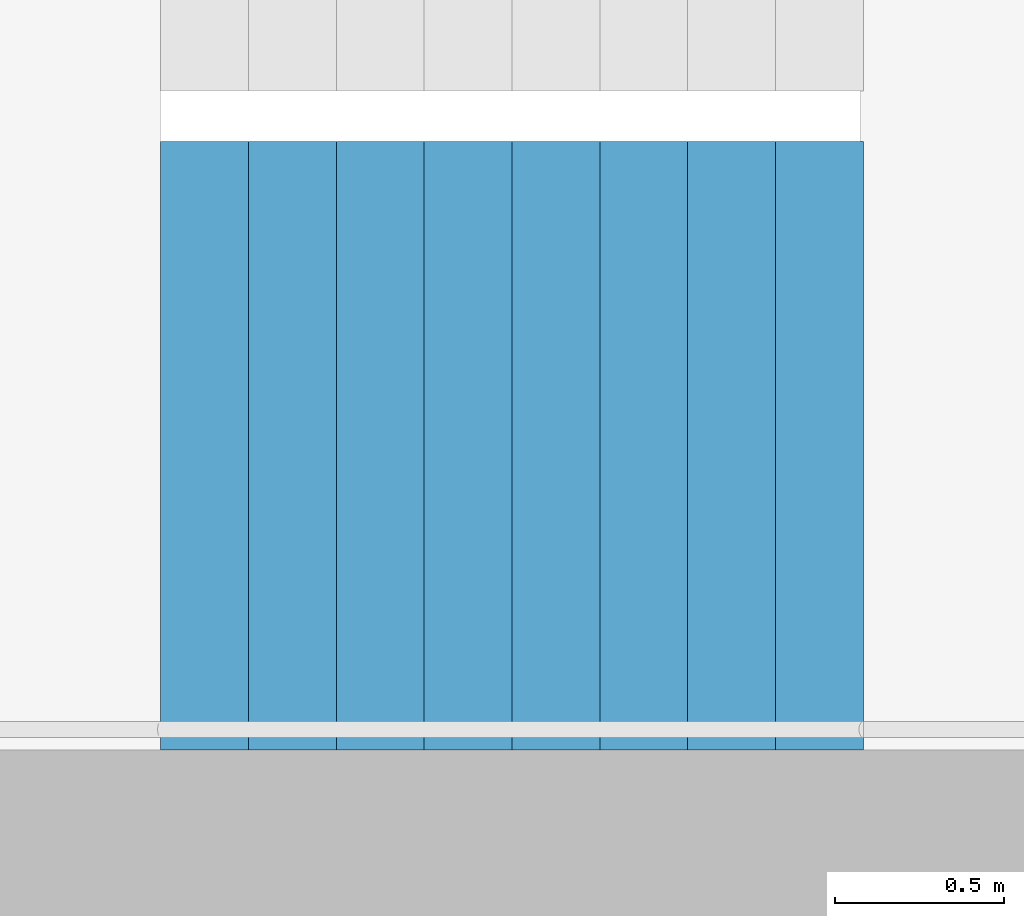
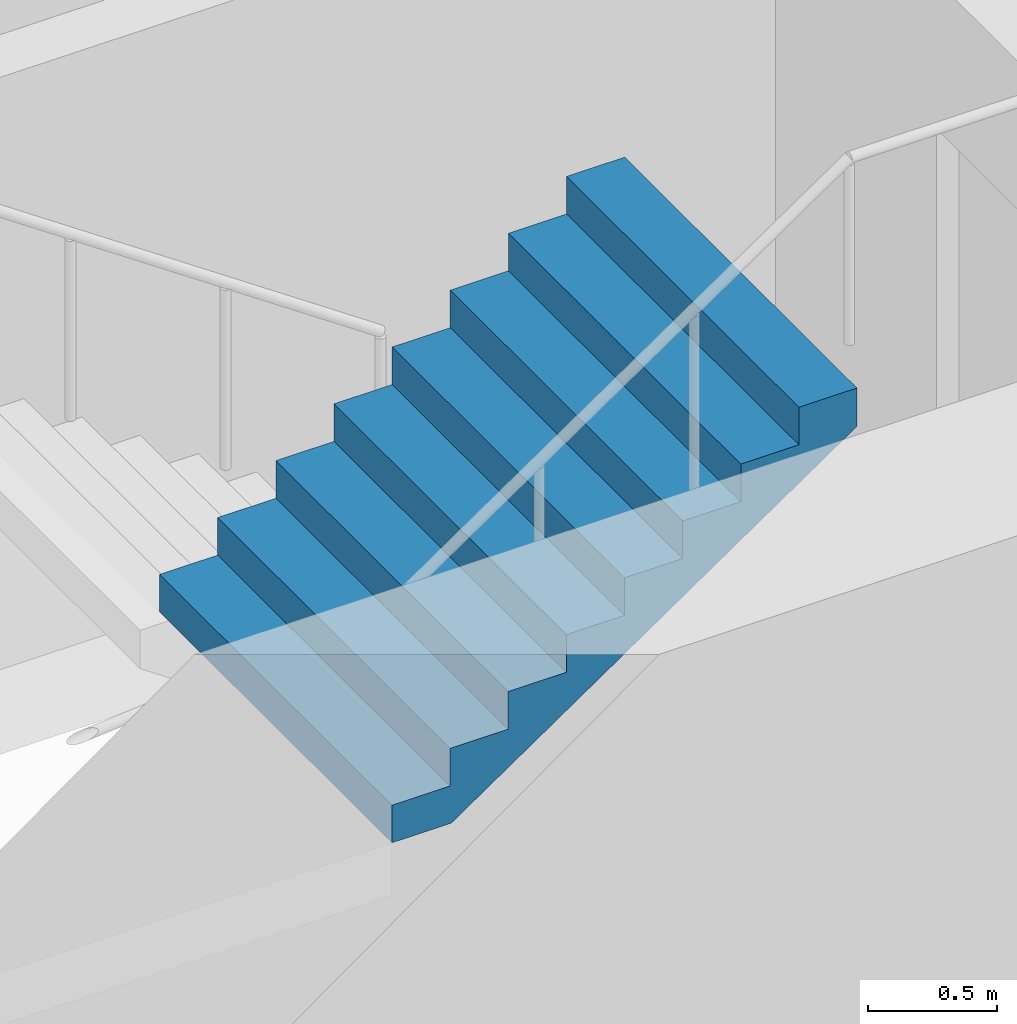
# One storey, part 20 of 35: 1 stair flight, 1 element without a shape of its own.
"""IFC4 building model written with IfcOpenShell, lengths in metres."""

from ifc_helpers import new_model, si_unit, direction, frame, origin, place, context, subcontext, project, spatial, triangles, material, type_object, element, aggregate, save


model = new_model("IFC4")

# Units and contexts
model_context = context("Model", 3, precision=1e-05, world=origin(), true_north=direction((0.0, 1.0)))
body_context = subcontext(model_context, "Body", "Model", "MODEL_VIEW")
ifc_project = project(units=[si_unit("LENGTHUNIT", "METRE"), si_unit("AREAUNIT", "SQUARE_METRE"), si_unit("VOLUMEUNIT", "CUBIC_METRE"), si_unit("PLANEANGLEUNIT", "RADIAN"), si_unit("MASSUNIT", "GRAM", prefix="KILO")], contexts=[model_context])

# Site, building, storey
site_placement = place(None, origin())
site = spatial("IfcSite", under=ifc_project, at=site_placement, CompositionType="ELEMENT")
building_placement = place(site_placement, origin())
building = spatial("IfcBuilding", under=site, at=building_placement, Name="Hakoniwa Tower and Hamabe Station Hall", CompositionType="ELEMENT")
storey_placement = place(building_placement, frame((0.0, 0.0, 51.800048828125)))
storey = spatial("IfcBuildingStorey", under=building, at=storey_placement, Name="L14", CompositionType="ELEMENT", Elevation=51.800048828125)

# Stair, stair flight
ifc_material_1 = material(Name="Concrete C40", Category="concrete")
stair_type = type_object("IfcStairType", Name="ESCAPE STAIR 1800", PredefinedType="HALF_TURN_STAIR", material=ifc_material_1)
stair_placement = place(storey_placement, origin())
stair = element("IfcStair", 1, at=stair_placement, inside=storey, type_object=stair_type, Name="Escape stair ST-2 L14", PredefinedType="HALF_TURN_STAIR")
ifc_material_2 = material(Name="Concrete C40", Category="concrete")
stair_flight_type = type_object("IfcStairFlightType", Name="STAIR FLIGHT 1800", PredefinedType="STRAIGHT", material=ifc_material_2)
stair_flight_placement = place(storey_placement, frame((-25.47998046875, -6.60009765625, 1.599853515625), z_axis=(0.0, 0.0, 1.0), x_axis=(1.0, 0.0, 0.0)))
stair_flight = element("IfcStairFlight", 2, at=stair_flight_placement, type_object=stair_flight_type, Name="ST-2 flight 2", NumberOfRisers=9, NumberOfTreads=8, PredefinedType="STRAIGHT", RiserHeight=0.177777778, TreadLength=0.26, context=body_context, shape_type="Tessellation", body=[
    triangles([(0.0, 0.89990234375, 0.0), (0.260009765625, 0.89990234375, 0.0), (0.265625, 0.89990234375, 0.0), (0.52001953125, 0.89990234375, 0.174072265625), (0.780029296875, 0.89990234375, 0.351806640625), (1.0400390625, 0.89990234375, 0.529541015625), (1.300048828125, 0.89990234375, 0.707275390625), (1.56005859375, 0.89990234375, 0.885009765625), (1.820068359375, 0.89990234375, 1.062744140625), (2.080078125, 0.89990234375, 1.24072265625), (2.080078125, 0.89990234375, 1.422119140625), (1.820068359375, 0.89990234375, 1.422119140625), (1.820068359375, 0.89990234375, 1.244384765625), (1.56005859375, 0.89990234375, 1.244384765625), (1.56005859375, 0.89990234375, 1.066650390625), (1.300048828125, 0.89990234375, 1.066650390625), (1.300048828125, 0.89990234375, 0.888916015625), (1.0400390625, 0.89990234375, 0.888916015625), (1.0400390625, 0.89990234375, 0.711181640625), (0.780029296875, 0.89990234375, 0.711181640625), (0.780029296875, 0.89990234375, 0.533447265625), (0.52001953125, 0.89990234375, 0.533447265625), (0.52001953125, 0.89990234375, 0.35546875), (0.265625, 0.89990234375, 0.35546875), (0.260009765625, 0.89990234375, 0.35546875), (0.260009765625, 0.89990234375, 0.177734375), (0.0, 0.89990234375, 0.177734375), (0.0, 0.06005859375, 0.0), (0.260009765625, 0.06005859375, 0.0), (0.265625, 0.06005859375, 0.0), (0.52001953125, 0.06005859375, 0.174072265625), (0.780029296875, 0.06005859375, 0.351806640625), (1.0400390625, 0.06005859375, 0.529541015625), (1.300048828125, 0.06005859375, 0.707275390625), (1.56005859375, 0.06005859375, 0.885009765625), (1.820068359375, 0.06005859375, 1.062744140625), (2.080078125, 0.06005859375, 1.24072265625), (2.080078125, 0.06005859375, 1.422119140625), (1.820068359375, 0.06005859375, 1.422119140625), (1.820068359375, 0.06005859375, 1.244384765625), (1.56005859375, 0.06005859375, 1.244384765625), (1.56005859375, 0.06005859375, 1.066650390625), (1.300048828125, 0.06005859375, 1.066650390625), (1.300048828125, 0.06005859375, 0.888916015625), (1.0400390625, 0.06005859375, 0.888916015625), (1.0400390625, 0.06005859375, 0.711181640625), (0.780029296875, 0.06005859375, 0.711181640625), (0.780029296875, 0.06005859375, 0.533447265625), (0.52001953125, 0.06005859375, 0.533447265625), (0.52001953125, 0.06005859375, 0.35546875), (0.265625, 0.06005859375, 0.35546875), (0.260009765625, 0.06005859375, 0.35546875), (0.260009765625, 0.06005859375, 0.177734375), (0.0, 0.06005859375, 0.177734375), (0.0, 0.04296875, 0.0), (0.260009765625, 0.04296875, 0.0), (0.265625, 0.04296875, 0.0), (0.52001953125, 0.04296875, 0.174072265625), (0.780029296875, 0.04296875, 0.351806640625), (1.0400390625, 0.04296875, 0.529541015625), (1.300048828125, 0.04296875, 0.707275390625), (1.56005859375, 0.04296875, 0.885009765625), (1.820068359375, 0.04296875, 1.062744140625), (2.080078125, 0.04296875, 1.24072265625), (2.080078125, 0.04296875, 1.422119140625), (1.820068359375, 0.04296875, 1.422119140625), (1.820068359375, 0.04296875, 1.244384765625), (1.56005859375, 0.04296875, 1.244384765625), (1.56005859375, 0.04296875, 1.066650390625), (1.300048828125, 0.04296875, 1.066650390625), (1.300048828125, 0.04296875, 0.888916015625), (1.0400390625, 0.04296875, 0.888916015625), (1.0400390625, 0.04296875, 0.711181640625), (0.780029296875, 0.04296875, 0.711181640625), (0.780029296875, 0.04296875, 0.533447265625), (0.52001953125, 0.04296875, 0.533447265625), (0.52001953125, 0.04296875, 0.35546875), (0.265625, 0.04296875, 0.35546875), (0.260009765625, 0.04296875, 0.35546875), (0.260009765625, 0.04296875, 0.177734375), (0.0, 0.04296875, 0.177734375), (0.0, 0.025634765625, 0.0), (0.260009765625, 0.025634765625, 0.0), (0.265625, 0.025634765625, 0.0), (0.52001953125, 0.025634765625, 0.174072265625), (0.780029296875, 0.025634765625, 0.351806640625), (1.0400390625, 0.025634765625, 0.529541015625), (1.300048828125, 0.025634765625, 0.707275390625), (1.56005859375, 0.025634765625, 0.885009765625), (1.820068359375, 0.025634765625, 1.062744140625), (2.080078125, 0.025634765625, 1.24072265625), (2.080078125, 0.025634765625, 1.422119140625), (1.820068359375, 0.025634765625, 1.422119140625), (1.820068359375, 0.025634765625, 1.244384765625), (1.56005859375, 0.025634765625, 1.244384765625), (1.56005859375, 0.025634765625, 1.066650390625), (1.300048828125, 0.025634765625, 1.066650390625), (1.300048828125, 0.025634765625, 0.888916015625), (1.0400390625, 0.025634765625, 0.888916015625), (1.0400390625, 0.025634765625, 0.711181640625), (0.780029296875, 0.025634765625, 0.711181640625), (0.780029296875, 0.025634765625, 0.533447265625), (0.52001953125, 0.025634765625, 0.533447265625), (0.52001953125, 0.025634765625, 0.35546875), (0.265625, 0.025634765625, 0.35546875), (0.260009765625, 0.025634765625, 0.35546875), (0.260009765625, 0.025634765625, 0.177734375), (0.0, 0.025634765625, 0.177734375), (0.0, 0.008544921875, 0.0), (0.260009765625, 0.008544921875, 0.0), (0.265625, 0.008544921875, 0.0), (0.52001953125, 0.008544921875, 0.174072265625), (0.780029296875, 0.008544921875, 0.351806640625), (1.0400390625, 0.008544921875, 0.529541015625), (1.300048828125, 0.008544921875, 0.707275390625), (1.56005859375, 0.008544921875, 0.885009765625), (1.820068359375, 0.008544921875, 1.062744140625), (2.080078125, 0.008544921875, 1.24072265625), (2.080078125, 0.008544921875, 1.422119140625), (1.820068359375, 0.008544921875, 1.422119140625), (1.820068359375, 0.008544921875, 1.244384765625), (1.56005859375, 0.008544921875, 1.244384765625), (1.56005859375, 0.008544921875, 1.066650390625), (1.300048828125, 0.008544921875, 1.066650390625), (1.300048828125, 0.008544921875, 0.888916015625), (1.0400390625, 0.008544921875, 0.888916015625), (1.0400390625, 0.008544921875, 0.711181640625), (0.780029296875, 0.008544921875, 0.711181640625), (0.780029296875, 0.008544921875, 0.533447265625), (0.52001953125, 0.008544921875, 0.533447265625), (0.52001953125, 0.008544921875, 0.35546875), (0.265625, 0.008544921875, 0.35546875), (0.260009765625, 0.008544921875, 0.35546875), (0.260009765625, 0.008544921875, 0.177734375), (0.0, 0.008544921875, 0.177734375), (0.0, -0.008544921875, 0.0), (0.260009765625, -0.008544921875, 0.0), (0.265625, -0.008544921875, 0.0), (0.52001953125, -0.008544921875, 0.174072265625), (0.780029296875, -0.008544921875, 0.351806640625), (1.0400390625, -0.008544921875, 0.529541015625), (1.300048828125, -0.008544921875, 0.707275390625), (1.56005859375, -0.008544921875, 0.885009765625), (1.820068359375, -0.008544921875, 1.062744140625), (2.080078125, -0.008544921875, 1.24072265625), (2.080078125, -0.008544921875, 1.422119140625), (1.820068359375, -0.008544921875, 1.422119140625), (1.820068359375, -0.008544921875, 1.244384765625), (1.56005859375, -0.008544921875, 1.244384765625), (1.56005859375, -0.008544921875, 1.066650390625), (1.300048828125, -0.008544921875, 1.066650390625), (1.300048828125, -0.008544921875, 0.888916015625), (1.0400390625, -0.008544921875, 0.888916015625), (1.0400390625, -0.008544921875, 0.711181640625), (0.780029296875, -0.008544921875, 0.711181640625), (0.780029296875, -0.008544921875, 0.533447265625), (0.52001953125, -0.008544921875, 0.533447265625), (0.52001953125, -0.008544921875, 0.35546875), (0.265625, -0.008544921875, 0.35546875), (0.260009765625, -0.008544921875, 0.35546875), (0.260009765625, -0.008544921875, 0.177734375), (0.0, -0.008544921875, 0.177734375), (0.0, -0.025634765625, 0.0), (0.260009765625, -0.025634765625, 0.0), (0.265625, -0.025634765625, 0.0), (0.52001953125, -0.025634765625, 0.174072265625), (0.780029296875, -0.025634765625, 0.351806640625), (1.0400390625, -0.025634765625, 0.529541015625), (1.300048828125, -0.025634765625, 0.707275390625), (1.56005859375, -0.025634765625, 0.885009765625), (1.820068359375, -0.025634765625, 1.062744140625), (2.080078125, -0.025634765625, 1.24072265625), (2.080078125, -0.025634765625, 1.422119140625), (1.820068359375, -0.025634765625, 1.422119140625), (1.820068359375, -0.025634765625, 1.244384765625), (1.56005859375, -0.025634765625, 1.244384765625), (1.56005859375, -0.025634765625, 1.066650390625), (1.300048828125, -0.025634765625, 1.066650390625), (1.300048828125, -0.025634765625, 0.888916015625), (1.0400390625, -0.025634765625, 0.888916015625), (1.0400390625, -0.025634765625, 0.711181640625), (0.780029296875, -0.025634765625, 0.711181640625), (0.780029296875, -0.025634765625, 0.533447265625), (0.52001953125, -0.025634765625, 0.533447265625), (0.52001953125, -0.025634765625, 0.35546875), (0.265625, -0.025634765625, 0.35546875), (0.260009765625, -0.025634765625, 0.35546875), (0.260009765625, -0.025634765625, 0.177734375), (0.0, -0.025634765625, 0.177734375), (0.0, -0.04296875, 0.0), (0.260009765625, -0.04296875, 0.0), (0.265625, -0.04296875, 0.0), (0.52001953125, -0.04296875, 0.174072265625), (0.780029296875, -0.04296875, 0.351806640625), (1.0400390625, -0.04296875, 0.529541015625), (1.300048828125, -0.04296875, 0.707275390625), (1.56005859375, -0.04296875, 0.885009765625), (1.820068359375, -0.04296875, 1.062744140625), (2.080078125, -0.04296875, 1.24072265625), (2.080078125, -0.04296875, 1.422119140625), (1.820068359375, -0.04296875, 1.422119140625), (1.820068359375, -0.04296875, 1.244384765625), (1.56005859375, -0.04296875, 1.244384765625), (1.56005859375, -0.04296875, 1.066650390625), (1.300048828125, -0.04296875, 1.066650390625), (1.300048828125, -0.04296875, 0.888916015625), (1.0400390625, -0.04296875, 0.888916015625), (1.0400390625, -0.04296875, 0.711181640625), (0.780029296875, -0.04296875, 0.711181640625), (0.780029296875, -0.04296875, 0.533447265625), (0.52001953125, -0.04296875, 0.533447265625), (0.52001953125, -0.04296875, 0.35546875), (0.265625, -0.04296875, 0.35546875), (0.260009765625, -0.04296875, 0.35546875), (0.260009765625, -0.04296875, 0.177734375), (0.0, -0.04296875, 0.177734375), (0.0, -0.06005859375, 0.0), (0.260009765625, -0.06005859375, 0.0), (0.265625, -0.06005859375, 0.0), (0.52001953125, -0.06005859375, 0.174072265625), (0.780029296875, -0.06005859375, 0.351806640625), (1.0400390625, -0.06005859375, 0.529541015625), (1.300048828125, -0.06005859375, 0.707275390625), (1.56005859375, -0.06005859375, 0.885009765625), (1.820068359375, -0.06005859375, 1.062744140625), (2.080078125, -0.06005859375, 1.24072265625), (2.080078125, -0.06005859375, 1.422119140625), (1.820068359375, -0.06005859375, 1.422119140625), (1.820068359375, -0.06005859375, 1.244384765625), (1.56005859375, -0.06005859375, 1.244384765625), (1.56005859375, -0.06005859375, 1.066650390625), (1.300048828125, -0.06005859375, 1.066650390625), (1.300048828125, -0.06005859375, 0.888916015625), (1.0400390625, -0.06005859375, 0.888916015625), (1.0400390625, -0.06005859375, 0.711181640625), (0.780029296875, -0.06005859375, 0.711181640625), (0.780029296875, -0.06005859375, 0.533447265625), (0.52001953125, -0.06005859375, 0.533447265625), (0.52001953125, -0.06005859375, 0.35546875), (0.265625, -0.06005859375, 0.35546875), (0.260009765625, -0.06005859375, 0.35546875), (0.260009765625, -0.06005859375, 0.177734375), (0.0, -0.06005859375, 0.177734375), (0.0, -0.89990234375, 0.0), (0.260009765625, -0.89990234375, 0.0), (0.265625, -0.89990234375, 0.0), (0.52001953125, -0.89990234375, 0.174072265625), (0.780029296875, -0.89990234375, 0.351806640625), (1.0400390625, -0.89990234375, 0.529541015625), (1.300048828125, -0.89990234375, 0.707275390625), (1.56005859375, -0.89990234375, 0.885009765625), (1.820068359375, -0.89990234375, 1.062744140625), (2.080078125, -0.89990234375, 1.24072265625), (2.080078125, -0.89990234375, 1.422119140625), (1.820068359375, -0.89990234375, 1.422119140625), (1.820068359375, -0.89990234375, 1.244384765625), (1.56005859375, -0.89990234375, 1.244384765625), (1.56005859375, -0.89990234375, 1.066650390625), (1.300048828125, -0.89990234375, 1.066650390625), (1.300048828125, -0.89990234375, 0.888916015625), (1.0400390625, -0.89990234375, 0.888916015625), (1.0400390625, -0.89990234375, 0.711181640625), (0.780029296875, -0.89990234375, 0.711181640625), (0.780029296875, -0.89990234375, 0.533447265625), (0.52001953125, -0.89990234375, 0.533447265625), (0.52001953125, -0.89990234375, 0.35546875), (0.265625, -0.89990234375, 0.35546875), (0.260009765625, -0.89990234375, 0.35546875), (0.260009765625, -0.89990234375, 0.177734375), (0.0, -0.89990234375, 0.177734375)], [[2, 27, 26], [245, 269, 270], [2, 1, 27], [245, 270, 244], [3, 25, 24], [246, 267, 268], [3, 26, 25], [246, 268, 269], [3, 2, 26], [246, 269, 245], [4, 24, 23], [247, 266, 267], [4, 3, 24], [247, 267, 246], [5, 22, 21], [248, 264, 265], [5, 23, 22], [248, 265, 266], [5, 4, 23], [248, 266, 247], [6, 20, 19], [249, 262, 263], [6, 21, 20], [249, 263, 264], [6, 5, 21], [249, 264, 248], [7, 18, 17], [250, 260, 261], [7, 19, 18], [250, 261, 262], [7, 6, 19], [250, 262, 249], [8, 16, 15], [251, 258, 259], [8, 17, 16], [251, 259, 260], [8, 7, 17], [251, 260, 250], [9, 14, 13], [252, 256, 257], [9, 15, 14], [252, 257, 258], [9, 8, 15], [252, 258, 251], [10, 12, 11], [253, 254, 255], [10, 13, 12], [253, 255, 256], [10, 9, 13], [253, 256, 252], [1, 2, 29], [1, 29, 28], [28, 29, 56], [28, 56, 55], [55, 56, 83], [55, 83, 82], [82, 83, 110], [82, 110, 109], [109, 110, 137], [109, 137, 136], [136, 137, 164], [136, 164, 163], [163, 164, 191], [163, 191, 190], [190, 191, 218], [190, 218, 217], [217, 218, 245], [217, 245, 244], [2, 3, 30], [2, 30, 29], [29, 30, 57], [29, 57, 56], [56, 57, 84], [56, 84, 83], [83, 84, 111], [83, 111, 110], [110, 111, 138], [110, 138, 137], [137, 138, 165], [137, 165, 164], [164, 165, 192], [164, 192, 191], [191, 192, 219], [191, 219, 218], [218, 219, 246], [218, 246, 245], [3, 4, 31], [3, 31, 30], [30, 31, 58], [30, 58, 57], [57, 58, 85], [57, 85, 84], [84, 85, 112], [84, 112, 111], [111, 112, 139], [111, 139, 138], [138, 139, 166], [138, 166, 165], [165, 166, 193], [165, 193, 192], [192, 193, 220], [192, 220, 219], [219, 220, 247], [219, 247, 246], [4, 5, 32], [4, 32, 31], [31, 32, 59], [31, 59, 58], [58, 59, 86], [58, 86, 85], [85, 86, 113], [85, 113, 112], [112, 113, 140], [112, 140, 139], [139, 140, 167], [139, 167, 166], [166, 167, 194], [166, 194, 193], [193, 194, 221], [193, 221, 220], [220, 221, 248], [220, 248, 247], [5, 6, 33], [5, 33, 32], [32, 33, 60], [32, 60, 59], [59, 60, 87], [59, 87, 86], [86, 87, 114], [86, 114, 113], [113, 114, 141], [113, 141, 140], [140, 141, 168], [140, 168, 167], [167, 168, 195], [167, 195, 194], [194, 195, 222], [194, 222, 221], [221, 222, 249], [221, 249, 248], [6, 7, 34], [6, 34, 33], [33, 34, 61], [33, 61, 60], [60, 61, 88], [60, 88, 87], [87, 88, 115], [87, 115, 114], [114, 115, 142], [114, 142, 141], [141, 142, 169], [141, 169, 168], [168, 169, 196], [168, 196, 195], [195, 196, 223], [195, 223, 222], [222, 223, 250], [222, 250, 249], [7, 8, 35], [7, 35, 34], [34, 35, 62], [34, 62, 61], [61, 62, 89], [61, 89, 88], [88, 89, 116], [88, 116, 115], [115, 116, 143], [115, 143, 142], [142, 143, 170], [142, 170, 169], [169, 170, 197], [169, 197, 196], [196, 197, 224], [196, 224, 223], [223, 224, 251], [223, 251, 250], [8, 9, 36], [8, 36, 35], [35, 36, 63], [35, 63, 62], [62, 63, 90], [62, 90, 89], [89, 90, 117], [89, 117, 116], [116, 117, 144], [116, 144, 143], [143, 144, 171], [143, 171, 170], [170, 171, 198], [170, 198, 197], [197, 198, 225], [197, 225, 224], [224, 225, 252], [224, 252, 251], [9, 10, 37], [9, 37, 36], [36, 37, 64], [36, 64, 63], [63, 64, 91], [63, 91, 90], [90, 91, 118], [90, 118, 117], [117, 118, 145], [117, 145, 144], [144, 145, 172], [144, 172, 171], [171, 172, 199], [171, 199, 198], [198, 199, 226], [198, 226, 225], [225, 226, 253], [225, 253, 252], [10, 11, 38], [10, 38, 37], [37, 38, 65], [37, 65, 64], [64, 65, 92], [64, 92, 91], [91, 92, 119], [91, 119, 118], [118, 119, 146], [118, 146, 145], [145, 146, 173], [145, 173, 172], [172, 173, 200], [172, 200, 199], [199, 200, 227], [199, 227, 226], [226, 227, 254], [226, 254, 253], [11, 12, 39], [11, 39, 38], [38, 39, 66], [38, 66, 65], [65, 66, 93], [65, 93, 92], [92, 93, 120], [92, 120, 119], [119, 120, 147], [119, 147, 146], [146, 147, 174], [146, 174, 173], [173, 174, 201], [173, 201, 200], [200, 201, 228], [200, 228, 227], [227, 228, 255], [227, 255, 254], [12, 13, 40], [12, 40, 39], [39, 40, 67], [39, 67, 66], [66, 67, 94], [66, 94, 93], [93, 94, 121], [93, 121, 120], [120, 121, 148], [120, 148, 147], [147, 148, 175], [147, 175, 174], [174, 175, 202], [174, 202, 201], [201, 202, 229], [201, 229, 228], [228, 229, 256], [228, 256, 255], [13, 14, 41], [13, 41, 40], [40, 41, 68], [40, 68, 67], [67, 68, 95], [67, 95, 94], [94, 95, 122], [94, 122, 121], [121, 122, 149], [121, 149, 148], [148, 149, 176], [148, 176, 175], [175, 176, 203], [175, 203, 202], [202, 203, 230], [202, 230, 229], [229, 230, 257], [229, 257, 256], [14, 15, 42], [14, 42, 41], [41, 42, 69], [41, 69, 68], [68, 69, 96], [68, 96, 95], [95, 96, 123], [95, 123, 122], [122, 123, 150], [122, 150, 149], [149, 150, 177], [149, 177, 176], [176, 177, 204], [176, 204, 203], [203, 204, 231], [203, 231, 230], [230, 231, 258], [230, 258, 257], [15, 16, 43], [15, 43, 42], [42, 43, 70], [42, 70, 69], [69, 70, 97], [69, 97, 96], [96, 97, 124], [96, 124, 123], [123, 124, 151], [123, 151, 150], [150, 151, 178], [150, 178, 177], [177, 178, 205], [177, 205, 204], [204, 205, 232], [204, 232, 231], [231, 232, 259], [231, 259, 258], [16, 17, 44], [16, 44, 43], [43, 44, 71], [43, 71, 70], [70, 71, 98], [70, 98, 97], [97, 98, 125], [97, 125, 124], [124, 125, 152], [124, 152, 151], [151, 152, 179], [151, 179, 178], [178, 179, 206], [178, 206, 205], [205, 206, 233], [205, 233, 232], [232, 233, 260], [232, 260, 259], [17, 18, 45], [17, 45, 44], [44, 45, 72], [44, 72, 71], [71, 72, 99], [71, 99, 98], [98, 99, 126], [98, 126, 125], [125, 126, 153], [125, 153, 152], [152, 153, 180], [152, 180, 179], [179, 180, 207], [179, 207, 206], [206, 207, 234], [206, 234, 233], [233, 234, 261], [233, 261, 260], [18, 19, 46], [18, 46, 45], [45, 46, 73], [45, 73, 72], [72, 73, 100], [72, 100, 99], [99, 100, 127], [99, 127, 126], [126, 127, 154], [126, 154, 153], [153, 154, 181], [153, 181, 180], [180, 181, 208], [180, 208, 207], [207, 208, 235], [207, 235, 234], [234, 235, 262], [234, 262, 261], [19, 20, 47], [19, 47, 46], [46, 47, 74], [46, 74, 73], [73, 74, 101], [73, 101, 100], [100, 101, 128], [100, 128, 127], [127, 128, 155], [127, 155, 154], [154, 155, 182], [154, 182, 181], [181, 182, 209], [181, 209, 208], [208, 209, 236], [208, 236, 235], [235, 236, 263], [235, 263, 262], [20, 21, 48], [20, 48, 47], [47, 48, 75], [47, 75, 74], [74, 75, 102], [74, 102, 101], [101, 102, 129], [101, 129, 128], [128, 129, 156], [128, 156, 155], [155, 156, 183], [155, 183, 182], [182, 183, 210], [182, 210, 209], [209, 210, 237], [209, 237, 236], [236, 237, 264], [236, 264, 263], [21, 22, 49], [21, 49, 48], [48, 49, 76], [48, 76, 75], [75, 76, 103], [75, 103, 102], [102, 103, 130], [102, 130, 129], [129, 130, 157], [129, 157, 156], [156, 157, 184], [156, 184, 183], [183, 184, 211], [183, 211, 210], [210, 211, 238], [210, 238, 237], [237, 238, 265], [237, 265, 264], [22, 23, 50], [22, 50, 49], [49, 50, 77], [49, 77, 76], [76, 77, 104], [76, 104, 103], [103, 104, 131], [103, 131, 130], [130, 131, 158], [130, 158, 157], [157, 158, 185], [157, 185, 184], [184, 185, 212], [184, 212, 211], [211, 212, 239], [211, 239, 238], [238, 239, 266], [238, 266, 265], [23, 24, 51], [23, 51, 50], [50, 51, 78], [50, 78, 77], [77, 78, 105], [77, 105, 104], [104, 105, 132], [104, 132, 131], [131, 132, 159], [131, 159, 158], [158, 159, 186], [158, 186, 185], [185, 186, 213], [185, 213, 212], [212, 213, 240], [212, 240, 239], [239, 240, 267], [239, 267, 266], [24, 25, 52], [24, 52, 51], [51, 52, 79], [51, 79, 78], [78, 79, 106], [78, 106, 105], [105, 106, 133], [105, 133, 132], [132, 133, 160], [132, 160, 159], [159, 160, 187], [159, 187, 186], [186, 187, 214], [186, 214, 213], [213, 214, 241], [213, 241, 240], [240, 241, 268], [240, 268, 267], [25, 26, 53], [25, 53, 52], [52, 53, 80], [52, 80, 79], [79, 80, 107], [79, 107, 106], [106, 107, 134], [106, 134, 133], [133, 134, 161], [133, 161, 160], [160, 161, 188], [160, 188, 187], [187, 188, 215], [187, 215, 214], [214, 215, 242], [214, 242, 241], [241, 242, 269], [241, 269, 268], [26, 27, 54], [26, 54, 53], [53, 54, 81], [53, 81, 80], [80, 81, 108], [80, 108, 107], [107, 108, 135], [107, 135, 134], [134, 135, 162], [134, 162, 161], [161, 162, 189], [161, 189, 188], [188, 189, 216], [188, 216, 215], [215, 216, 243], [215, 243, 242], [242, 243, 270], [242, 270, 269], [27, 1, 28], [27, 28, 54], [54, 28, 55], [54, 55, 81], [81, 55, 82], [81, 82, 108], [108, 82, 109], [108, 109, 135], [135, 109, 136], [135, 136, 162], [162, 136, 163], [162, 163, 189], [189, 163, 190], [189, 190, 216], [216, 190, 217], [216, 217, 243], [243, 217, 244], [243, 244, 270]], closed=True),
])
aggregate(stair, [stair_flight])

save(model, "model.ifc")
